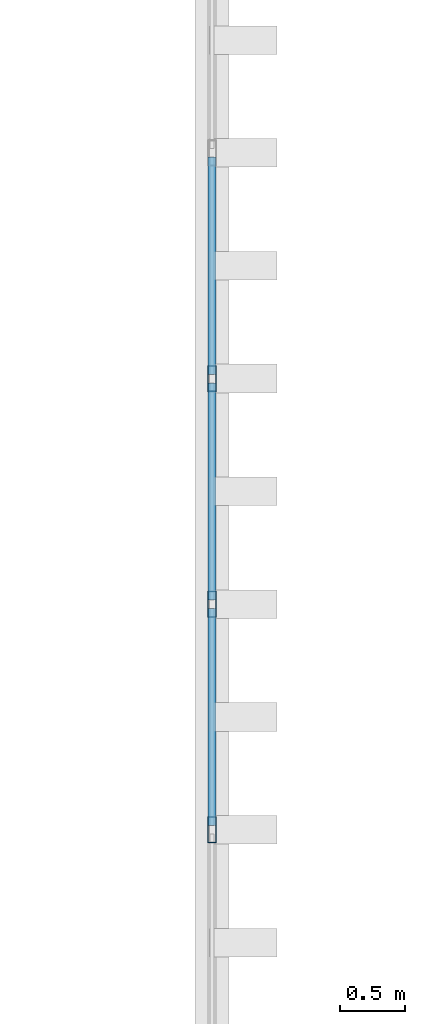
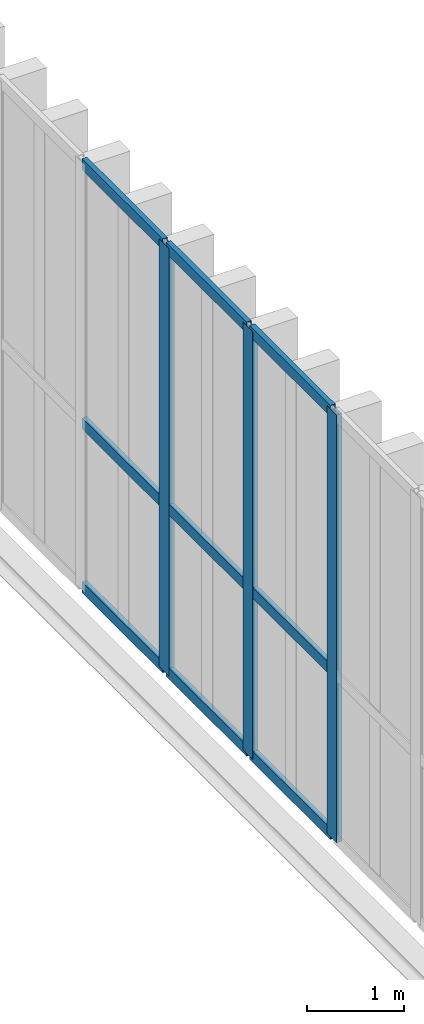
# One storey, part 109 of 237: 12 members, 1 element without a shape of its own.
"""IFC4 building model written with IfcOpenShell, lengths in metres."""

from ifc_helpers import new_model, si_unit, direction, frame, origin, origin_2d, place, context, subcontext, project, spatial, hollow_rectangle, extrude, material, layer, layer_set, material_profile, profile_set, type_object, element, aggregate, save


model = new_model("IFC4")

# Units and contexts
model_context = context("Model", 3, precision=1e-05, world=origin(), true_north=direction((0.0, 1.0)))
body_context = subcontext(model_context, "Body", "Model", "MODEL_VIEW")
ifc_project = project(units=[si_unit("LENGTHUNIT", "METRE"), si_unit("AREAUNIT", "SQUARE_METRE"), si_unit("VOLUMEUNIT", "CUBIC_METRE"), si_unit("PLANEANGLEUNIT", "RADIAN"), si_unit("MASSUNIT", "GRAM", prefix="KILO")], contexts=[model_context])

# Site, building, storey
site_placement = place(None, origin())
site = spatial("IfcSite", under=ifc_project, at=site_placement, CompositionType="ELEMENT")
building_placement = place(site_placement, origin())
building = spatial("IfcBuilding", under=site, at=building_placement, Name="Barlavento Convention Centre", CompositionType="ELEMENT")
storey_placement = place(building_placement, frame((0.0, 0.0, 12.0)))
storey = spatial("IfcBuildingStorey", under=building, at=storey_placement, Name="L02", CompositionType="ELEMENT", Elevation=12.0)

# Curtain wall, members
ifc_material_1 = material(Name="Powder-coated aluminium and Low-E glass", Category="aluminium")
ifc_layer = layer(ifc_material_1, 0.18505859375)
ifc_layer_set = layer_set([ifc_layer], Name="ARC-CW-EXH-L02")
curtain_wall_type = type_object("IfcCurtainWallType", Name="ARC-CW-EXH-L02", PredefinedType="NOTDEFINED", material=ifc_layer_set)
curtain_wall_placement = place(storey_placement, origin())
curtain_wall = element("IfcCurtainWall", 1, at=curtain_wall_placement, inside=storey, type_object=curtain_wall_type, Name="L02 unitised curtain wall CW05", PredefinedType="NOTDEFINED")
ifc_material_2 = material(Name="Powder-coated aluminium", Category="aluminium")
ifc_material_profile_1 = material_profile(ifc_material_2, hollow_rectangle(XDim=0.06494140625, YDim=0.199951171875, WallThickness=0.0048828125, at=origin_2d()), Name="AL-MULL 65x200x5")
ifc_profile_set_1 = profile_set([ifc_material_profile_1], Name="Powder-coated aluminium")
member_type_1 = type_object("IfcMemberType", Name="ARC-CWM-65X200", PredefinedType="MULLION", material=ifc_profile_set_1)
member_1_placement = place(storey_placement, frame((126.0, 120.847412109375, 0.10009765625), z_axis=(0.0, 0.0, 1.0), x_axis=(-1.0, 0.0, 0.0)))
member_1 = element("IfcMember", 2, at=member_1_placement, type_object=member_type_1, Name="CW05 mullion 3", PredefinedType="MULLION", context=body_context, shape_type="SweptSolid", body=[
    extrude(hollow_rectangle(XDim=0.06494140625, YDim=0.199951171875, WallThickness=0.0048828125, at=origin_2d()), origin(), (0.0, 0.0, 1.0), 5.39990234375),
])
member_2_placement = place(storey_placement, frame((126.0, 122.5810546875, 0.10009765625), z_axis=(0.0, 0.0, 1.0), x_axis=(-1.0, 0.0, 0.0)))
member_2 = element("IfcMember", 3, at=member_2_placement, type_object=member_type_1, Name="CW05 mullion 4", PredefinedType="MULLION", context=body_context, shape_type="SweptSolid", body=[
    extrude(hollow_rectangle(XDim=0.06494140625, YDim=0.199951171875, WallThickness=0.0048828125, at=origin_2d()), origin(), (0.0, 0.0, 1.0), 5.39990234375),
])
member_3_placement = place(storey_placement, frame((126.0, 124.314697265625, 0.10009765625), z_axis=(0.0, 0.0, 1.0), x_axis=(-1.0, 0.0, 0.0)))
member_3 = element("IfcMember", 4, at=member_3_placement, type_object=member_type_1, Name="CW05 mullion 5", PredefinedType="MULLION", context=body_context, shape_type="SweptSolid", body=[
    extrude(hollow_rectangle(XDim=0.06494140625, YDim=0.199951171875, WallThickness=0.0048828125, at=origin_2d()), origin(), (0.0, 0.0, 1.0), 5.39990234375),
])
ifc_material_profile_2 = material_profile(ifc_material_2, hollow_rectangle(XDim=0.06005859375, YDim=0.139892578125, WallThickness=0.00390625, at=origin_2d()), Name="AL-TRAN 60x140x4")
ifc_profile_set_2 = profile_set([ifc_material_profile_2], Name="Powder-coated aluminium")
member_type_2 = type_object("IfcMemberType", Name="ARC-CWT-60X140", PredefinedType="USERDEFINED", material=ifc_profile_set_2)
member_4_placement = place(storey_placement, frame((126.0, 120.8798828125, 0.1298828125), z_axis=(0.0, 1.0, 0.0), x_axis=(-1.0, 0.0, 0.0)))
member_4 = element("IfcMember", 5, at=member_4_placement, type_object=member_type_2, Name="CW05 transom 3.1", ObjectType="TRANSOM", PredefinedType="USERDEFINED", context=body_context, shape_type="SweptSolid", body=[
    extrude(hollow_rectangle(XDim=0.06005859375, YDim=0.139892578125, WallThickness=0.00390625, at=origin_2d()), origin(), (0.0, 0.0, 1.0), 1.668701171875),
])
member_5_placement = place(storey_placement, frame((126.0, 120.8798828125, 2.199951171875), z_axis=(0.0, 1.0, 0.0), x_axis=(-1.0, 0.0, 0.0)))
member_5 = element("IfcMember", 6, at=member_5_placement, type_object=member_type_2, Name="CW05 transom 3.2", ObjectType="TRANSOM", PredefinedType="USERDEFINED", context=body_context, shape_type="SweptSolid", body=[
    extrude(hollow_rectangle(XDim=0.06005859375, YDim=0.139892578125, WallThickness=0.00390625, at=origin_2d()), origin(), (0.0, 0.0, 1.0), 1.668701171875),
])
member_6_placement = place(storey_placement, frame((126.0, 120.8798828125, 5.469970703125), z_axis=(0.0, 1.0, 0.0), x_axis=(-1.0, 0.0, 0.0)))
member_6 = element("IfcMember", 7, at=member_6_placement, type_object=member_type_2, Name="CW05 transom 3.3", ObjectType="TRANSOM", PredefinedType="USERDEFINED", context=body_context, shape_type="SweptSolid", body=[
    extrude(hollow_rectangle(XDim=0.06005859375, YDim=0.139892578125, WallThickness=0.00390625, at=origin_2d()), origin(), (0.0, 0.0, 1.0), 1.668701171875),
])
member_7_placement = place(storey_placement, frame((126.0, 122.613525390625, 0.1298828125), z_axis=(0.0, 1.0, 0.0), x_axis=(-1.0, 0.0, 0.0)))
member_7 = element("IfcMember", 8, at=member_7_placement, type_object=member_type_2, Name="CW05 transom 4.1", ObjectType="TRANSOM", PredefinedType="USERDEFINED", context=body_context, shape_type="SweptSolid", body=[
    extrude(hollow_rectangle(XDim=0.06005859375, YDim=0.139892578125, WallThickness=0.00390625, at=origin_2d()), origin(), (0.0, 0.0, 1.0), 1.668701171875),
])
member_8_placement = place(storey_placement, frame((126.0, 122.613525390625, 2.199951171875), z_axis=(0.0, 1.0, 0.0), x_axis=(-1.0, 0.0, 0.0)))
member_8 = element("IfcMember", 9, at=member_8_placement, type_object=member_type_2, Name="CW05 transom 4.2", ObjectType="TRANSOM", PredefinedType="USERDEFINED", context=body_context, shape_type="SweptSolid", body=[
    extrude(hollow_rectangle(XDim=0.06005859375, YDim=0.139892578125, WallThickness=0.00390625, at=origin_2d()), origin(), (0.0, 0.0, 1.0), 1.668701171875),
])
member_9_placement = place(storey_placement, frame((126.0, 122.613525390625, 5.469970703125), z_axis=(0.0, 1.0, 0.0), x_axis=(-1.0, 0.0, 0.0)))
member_9 = element("IfcMember", 10, at=member_9_placement, type_object=member_type_2, Name="CW05 transom 4.3", ObjectType="TRANSOM", PredefinedType="USERDEFINED", context=body_context, shape_type="SweptSolid", body=[
    extrude(hollow_rectangle(XDim=0.06005859375, YDim=0.139892578125, WallThickness=0.00390625, at=origin_2d()), origin(), (0.0, 0.0, 1.0), 1.668701171875),
])
member_10_placement = place(storey_placement, frame((126.0, 124.34716796875, 0.1298828125), z_axis=(0.0, 1.0, 0.0), x_axis=(-1.0, 0.0, 0.0)))
member_10 = element("IfcMember", 11, at=member_10_placement, type_object=member_type_2, Name="CW05 transom 5.1", ObjectType="TRANSOM", PredefinedType="USERDEFINED", context=body_context, shape_type="SweptSolid", body=[
    extrude(hollow_rectangle(XDim=0.06005859375, YDim=0.139892578125, WallThickness=0.00390625, at=origin_2d()), origin(), (0.0, 0.0, 1.0), 1.668701171875),
])
member_11_placement = place(storey_placement, frame((126.0, 124.34716796875, 2.199951171875), z_axis=(0.0, 1.0, 0.0), x_axis=(-1.0, 0.0, 0.0)))
member_11 = element("IfcMember", 12, at=member_11_placement, type_object=member_type_2, Name="CW05 transom 5.2", ObjectType="TRANSOM", PredefinedType="USERDEFINED", context=body_context, shape_type="SweptSolid", body=[
    extrude(hollow_rectangle(XDim=0.06005859375, YDim=0.139892578125, WallThickness=0.00390625, at=origin_2d()), origin(), (0.0, 0.0, 1.0), 1.668701171875),
])
member_12_placement = place(storey_placement, frame((126.0, 124.34716796875, 5.469970703125), z_axis=(0.0, 1.0, 0.0), x_axis=(-1.0, 0.0, 0.0)))
member_12 = element("IfcMember", 13, at=member_12_placement, type_object=member_type_2, Name="CW05 transom 5.3", ObjectType="TRANSOM", PredefinedType="USERDEFINED", context=body_context, shape_type="SweptSolid", body=[
    extrude(hollow_rectangle(XDim=0.06005859375, YDim=0.139892578125, WallThickness=0.00390625, at=origin_2d()), origin(), (0.0, 0.0, 1.0), 1.668701171875),
])
aggregate(curtain_wall, [member_1, member_2, member_3, member_4, member_5, member_6, member_7, member_8, member_9, member_10, member_11, member_12])

save(model, "model.ifc")
